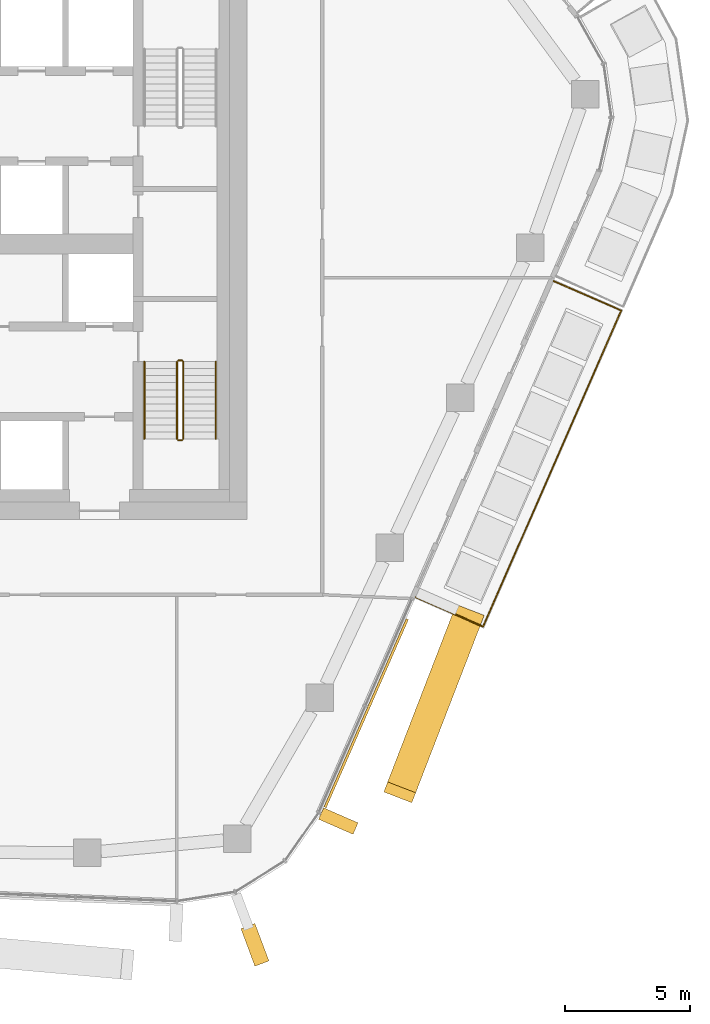
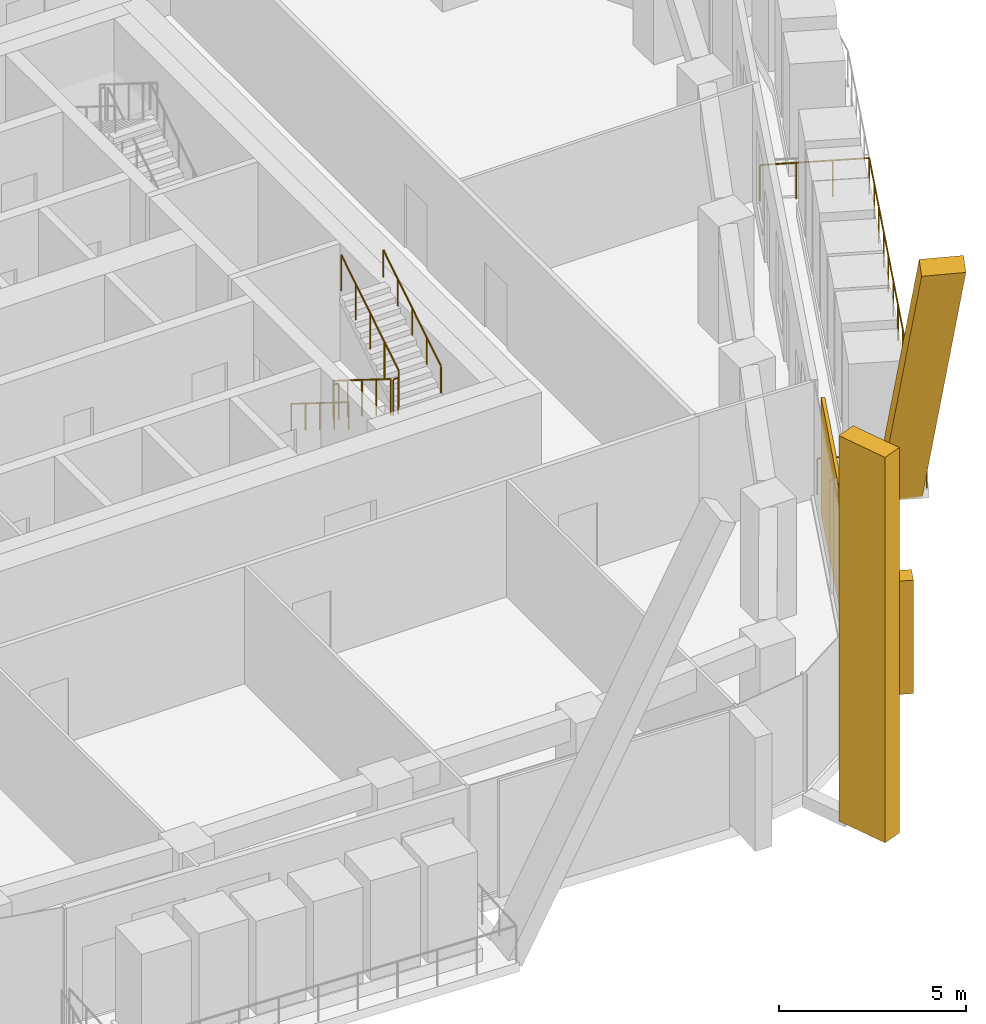
# One storey, part 17 of 20: 7 railings, 4 coverings, 2 elements without a shape of their own.
"""IFC4 building model written with IfcOpenShell, lengths in metres."""

from ifc_helpers import new_model, si_unit, direction, frame, origin, origin_2d, place, context, subcontext, project, spatial, rectangle, circle, extrude, material, layer, layer_set, material_profile, profile_set, type_object, element, aggregate, save


model = new_model("IFC4")

# Units and contexts
model_context = context("Model", 3, precision=1e-05, world=origin(), true_north=direction((0.0, 1.0)))
body_context = subcontext(model_context, "Body", "Model", "MODEL_VIEW")
ifc_project = project(units=[si_unit("LENGTHUNIT", "METRE"), si_unit("AREAUNIT", "SQUARE_METRE"), si_unit("VOLUMEUNIT", "CUBIC_METRE"), si_unit("PLANEANGLEUNIT", "RADIAN"), si_unit("MASSUNIT", "GRAM", prefix="KILO")], contexts=[model_context])

# Site, building, storey
site_placement = place(None, origin())
site = spatial("IfcSite", under=ifc_project, at=site_placement, CompositionType="ELEMENT")
building_placement = place(site_placement, origin())
building = spatial("IfcBuilding", under=site, at=building_placement, Name="Dongbaek Canopy Tower", CompositionType="ELEMENT")
storey_placement = place(building_placement, frame((0.0, 0.0, 241.199951171875)))
storey = spatial("IfcBuildingStorey", under=building, at=storey_placement, Name="L50", CompositionType="ELEMENT", Elevation=241.199951171875)

# Railing
ifc_material_1 = material(Name="Stainless steel", Category="steel")
railing_type_1 = type_object("IfcRailingType", Name="Balcony balustrade 1200", PredefinedType="BALUSTRADE", material=ifc_material_1)
railing_1_placement = place(storey_placement, frame((20.7236328125, -14.096923828125, 0.0)))
element("IfcRailing", 1, at=railing_1_placement, inside=storey, type_object=railing_type_1, Name="Balcony guard L50 5", PredefinedType="BALUSTRADE", context=body_context, shape_type="SweptSolid", body=[
    extrude(circle(Radius=0.02392578125, at=origin_2d()), frame((0.0, 0.0, 1.17578125), z_axis=(0.916378260197, -0.400313482458, 0.0), x_axis=(0.400313482458, 0.916378260197, 0.0)), (0.0, 0.0, 1.0), 2.940185546875),
    extrude(circle(Radius=0.02392578125, at=origin_2d()), frame((2.6943359375, -1.177001953125, 1.17578125), z_axis=(0.400292212899, 0.916387551363, 0.0), x_axis=(-0.916387551363, 0.400292212899, 0.0)), (0.0, 0.0, 1.0), 13.766845703125),
    extrude(circle(Radius=0.02392578125, at=origin_2d()), frame((8.205078125, 11.438720703125, 1.17578125), z_axis=(-0.91640871913, 0.40024375011, 0.0), x_axis=(-0.40024375011, -0.91640871913, 0.0)), (0.0, 0.0, 1.0), 2.940185546875),
    extrude(circle(Radius=0.02099609375, at=origin_2d()), origin(), (0.0, 0.0, 1.0), 1.15185546875),
    extrude(circle(Radius=0.02099609375, at=origin_2d()), frame((0.898193359375, -0.392333984375, 0.0)), (0.0, 0.0, 1.0), 1.15185546875),
    extrude(circle(Radius=0.02099609375, at=origin_2d()), frame((1.796142578125, -0.78466796875, 0.0)), (0.0, 0.0, 1.0), 1.15185546875),
    extrude(circle(Radius=0.02099609375, at=origin_2d()), frame((2.6943359375, -1.177001953125, 0.0)), (0.0, 0.0, 1.0), 1.15185546875),
    extrude(circle(Radius=0.02099609375, at=origin_2d()), frame((3.153564453125, -0.125732421875, 0.0)), (0.0, 0.0, 1.0), 1.15185546875),
    extrude(circle(Radius=0.02099609375, at=origin_2d()), frame((3.61279296875, 0.925537109375, 0.0)), (0.0, 0.0, 1.0), 1.15185546875),
    extrude(circle(Radius=0.02099609375, at=origin_2d()), frame((4.072021484375, 1.97705078125, 0.0)), (0.0, 0.0, 1.0), 1.15185546875),
    extrude(circle(Radius=0.02099609375, at=origin_2d()), frame((4.53125, 3.0283203125, 0.0)), (0.0, 0.0, 1.0), 1.15185546875),
    extrude(circle(Radius=0.02099609375, at=origin_2d()), frame((4.990478515625, 4.07958984375, 0.0)), (0.0, 0.0, 1.0), 1.15185546875),
    extrude(circle(Radius=0.02099609375, at=origin_2d()), frame((5.44970703125, 5.130859375, 0.0)), (0.0, 0.0, 1.0), 1.15185546875),
    extrude(circle(Radius=0.02099609375, at=origin_2d()), frame((5.908935546875, 6.18212890625, 0.0)), (0.0, 0.0, 1.0), 1.15185546875),
    extrude(circle(Radius=0.02099609375, at=origin_2d()), frame((6.3681640625, 7.2333984375, 0.0)), (0.0, 0.0, 1.0), 1.15185546875),
    extrude(circle(Radius=0.02099609375, at=origin_2d()), frame((6.827392578125, 8.28466796875, 0.0)), (0.0, 0.0, 1.0), 1.15185546875),
    extrude(circle(Radius=0.02099609375, at=origin_2d()), frame((7.28662109375, 9.336181640625, 0.0)), (0.0, 0.0, 1.0), 1.15185546875),
    extrude(circle(Radius=0.02099609375, at=origin_2d()), frame((7.745849609375, 10.387451171875, 0.0)), (0.0, 0.0, 1.0), 1.15185546875),
    extrude(circle(Radius=0.02099609375, at=origin_2d()), frame((8.205078125, 11.438720703125, 0.0)), (0.0, 0.0, 1.0), 1.15185546875),
    extrude(circle(Radius=0.02099609375, at=origin_2d()), frame((7.306884765625, 11.8310546875, 0.0)), (0.0, 0.0, 1.0), 1.15185546875),
    extrude(circle(Radius=0.02099609375, at=origin_2d()), frame((6.408935546875, 12.22314453125, 0.0)), (0.0, 0.0, 1.0), 1.15185546875),
    extrude(circle(Radius=0.02099609375, at=origin_2d()), frame((5.5107421875, 12.615478515625, 0.0)), (0.0, 0.0, 1.0), 1.15185546875),
])

# Curtain wall, covering
ifc_material_2 = material(Name="Aluminium 6063-T6 pale anodised", Category="aluminium")
ifc_layer_1 = layer(ifc_material_2, 0.199951171875)
ifc_layer_set_1 = layer_set([ifc_layer_1], Name="CW-1 unitised tower curtain wall")
curtain_wall_type = type_object("IfcCurtainWallType", Name="CW-1 unitised tower curtain wall", PredefinedType="NOTDEFINED", material=ifc_layer_set_1)
curtain_wall_1_placement = place(storey_placement, origin())
curtain_wall_1 = element("IfcCurtainWall", 2, at=curtain_wall_1_placement, inside=storey, type_object=curtain_wall_type, Name="CW-1 curtain wall K5.1", PredefinedType="NOTDEFINED")
ifc_material_3 = material(Name="Aluminium 6063-T6 pale metal fin", Category="aluminium")
ifc_material_profile_1 = material_profile(ifc_material_3, rectangle(XDim=1.60009765625, YDim=0.60009765625, at=origin_2d()), Name="Corner fin CN1 600 x 1600 pale metal")
ifc_profile_set_1 = profile_set([ifc_material_profile_1], Name="Aluminium 6063-T6 pale metal fin")
covering_type_1 = type_object("IfcCoveringType", Name="Corner fin CN1 600 x 1600 pale metal", PredefinedType="CLADDING", material=ifc_profile_set_1)
covering_1_placement = place(storey_placement, frame((14.309814453125, -27.97216796875, -0.18994140625), z_axis=(0.0, 0.0, 1.0), x_axis=(0.351016477142, -0.936369282268, 0.0)))
covering_1 = element("IfcCovering", 3, at=covering_1_placement, type_object=covering_type_1, Name="Corner fin L50 L52 K5", PredefinedType="CLADDING", context=body_context, shape_type="SweptSolid", body=[
    extrude(rectangle(XDim=1.60009765625, YDim=0.60009765625, at=origin_2d()), origin(), (0.0, 0.0, 1.0), 12.580078125),
])
aggregate(curtain_wall_1, [covering_1])

# Curtain wall, coverings
curtain_wall_2_placement = place(storey_placement, origin())
curtain_wall_2 = element("IfcCurtainWall", 4, at=curtain_wall_2_placement, inside=storey, type_object=curtain_wall_type, Name="CW-1 curtain wall F5.1", PredefinedType="NOTDEFINED")
ifc_material_4 = material(Name="Aluminium 6063-T6 pale metal fin", Category="aluminium")
ifc_material_profile_2 = material_profile(ifc_material_4, rectangle(XDim=1.199951171875, YDim=0.5, at=origin_2d()), Name="Crease fin CF1 500 x 1200 pale metal")
ifc_profile_set_2 = profile_set([ifc_material_profile_2], Name="Aluminium 6063-T6 pale metal fin")
covering_type_2 = type_object("IfcCoveringType", Name="Crease fin CF1 500 x 1200 pale metal", PredefinedType="CLADDING", material=ifc_profile_set_2)
covering_2_placement = place(storey_placement, frame((22.8251953125, -14.80712890625, -0.18994140625), z_axis=(-0.18595104715, -0.48137488143, 0.856563150966), x_axis=(0.932820739784, -0.360340765706, 0.0)))
covering_2 = element("IfcCovering", 5, at=covering_2_placement, type_object=covering_type_2, Name="Crease fin L50 L53 F5", PredefinedType="CLADDING", context=body_context, shape_type="SweptSolid", body=[
    extrude(rectangle(XDim=1.199951171875, YDim=0.5, at=origin_2d()), origin(), (0.0, 0.0, 1.0), 14.7099609375),
])
ifc_material_5 = material(Name="Perforated aluminium 6063-T6 pale metal screen", Category="aluminium")
ifc_layer_2 = layer(ifc_material_5, 0.10009765625)
ifc_layer_set_2 = layer_set([ifc_layer_2], Name="Facet screen FS1 100 pale metal")
covering_type_3 = type_object("IfcCoveringType", Name="Facet screen FS1 100 pale metal", PredefinedType="CLADDING", material=ifc_layer_set_2)
covering_3_placement = place(storey_placement, frame((18.749755859375, -18.730712890625, 0.0), z_axis=(0.0, 0.0, 1.0), x_axis=(0.400294653793, 0.916386485139, 0.0)))
covering_3 = element("IfcCovering", 6, at=covering_3_placement, type_object=covering_type_3, Name="Facet screen L50 F5", PredefinedType="CLADDING", context=body_context, shape_type="SweptSolid", body=[
    extrude(rectangle(XDim=8.19580078125, YDim=0.10009765625, at=origin_2d()), origin(), (0.0, 0.0, 1.0), 3.820068359375),
])
ifc_material_6 = material(Name="Aluminium 6063-T6 pale metal fin", Category="aluminium")
ifc_material_profile_3 = material_profile(ifc_material_6, rectangle(XDim=1.5, YDim=0.5, at=origin_2d()), Name="Fin FN1 500 x 1500 pale metal")
ifc_profile_set_3 = profile_set([ifc_material_profile_3], Name="Aluminium 6063-T6 pale metal fin")
covering_type_4 = type_object("IfcCoveringType", Name="Fin FN1 500 x 1500 pale metal", PredefinedType="CLADDING", material=ifc_profile_set_3)
covering_4_placement = place(storey_placement, frame((17.638427734375, -23.03369140625, 0.1201171875), z_axis=(0.0, 0.0, 1.0), x_axis=(0.9163861515, -0.400295417584, 0.0)))
covering_4 = element("IfcCovering", 7, at=covering_4_placement, type_object=covering_type_4, Name="Fin F5.1.1", PredefinedType="CLADDING", context=body_context, shape_type="SweptSolid", body=[
    extrude(rectangle(XDim=1.5, YDim=0.5, at=origin_2d()), origin(), (0.0, 0.0, 1.0), 3.699951171875),
])
aggregate(curtain_wall_2, [covering_4, covering_2, covering_3])

# Railings
ifc_material_7 = material(Name="Stainless steel tube and balusters", Category="steel")
railing_type_2 = type_object("IfcRailingType", Name="Stair guard 1200", PredefinedType="GUARDRAIL", material=ifc_material_7)
railing_2_placement = place(storey_placement, frame((11.199951171875, -4.699951171875, 0.175048828125)))
element("IfcRailing", 8, at=railing_2_placement, inside=storey, type_object=railing_type_2, Name="L50 ST-B stair guard 1", PredefinedType="GUARDRAIL", context=body_context, shape_type="SweptSolid", body=[
    extrude(circle(Radius=0.02392578125, at=origin_2d()), frame((0.0, 0.0, 1.17578125), z_axis=(0.0, -0.847998304005, 0.529998940003), x_axis=(1.0, 0.0, 0.0)), (0.0, 0.0, 1.0), 3.632080078125),
    extrude(circle(Radius=0.02099609375, at=origin_2d()), origin(), (0.0, 0.0, 1.0), 1.15185546875),
    extrude(circle(Radius=0.02099609375, at=origin_2d()), frame((0.0, -0.77001953125, 0.481201171875)), (0.0, 0.0, 1.0), 1.15185546875),
    extrude(circle(Radius=0.02099609375, at=origin_2d()), frame((0.0, -1.5400390625, 0.96240234375)), (0.0, 0.0, 1.0), 1.15185546875),
    extrude(circle(Radius=0.02099609375, at=origin_2d()), frame((0.0, -2.31005859375, 1.44384765625)), (0.0, 0.0, 1.0), 1.15185546875),
    extrude(circle(Radius=0.02099609375, at=origin_2d()), frame((0.0, -3.080078125, 1.925048828125)), (0.0, 0.0, 1.0), 1.15185546875),
])
railing_3_placement = place(storey_placement, frame((11.25, -7.830078125, 2.10009765625)))
element("IfcRailing", 9, at=railing_3_placement, inside=storey, type_object=railing_type_2, Name="L50 ST-B stair guard 2", PredefinedType="GUARDRAIL", context=body_context, shape_type="SweptSolid", body=[
    extrude(circle(Radius=0.02392578125, at=origin_2d()), frame((0.0, 0.0, 1.17578125), z_axis=(1.0, 0.0, 0.0), x_axis=(0.0, 1.0, 0.0)), (0.0, 0.0, 1.0), 0.14990234375),
    extrude(circle(Radius=0.02099609375, at=origin_2d()), origin(), (0.0, 0.0, 1.0), 1.15185546875),
    extrude(circle(Radius=0.02099609375, at=origin_2d()), frame((0.14990234375, 0.0, 0.0)), (0.0, 0.0, 1.0), 1.15185546875),
])
railing_4_placement = place(storey_placement, frame((11.449951171875, -7.780029296875, 2.275146484375)))
element("IfcRailing", 10, at=railing_4_placement, inside=storey, type_object=railing_type_2, Name="L50 ST-B stair guard 3", PredefinedType="GUARDRAIL", context=body_context, shape_type="SweptSolid", body=[
    extrude(circle(Radius=0.02392578125, at=origin_2d()), frame((0.0, 0.0, 1.17578125), z_axis=(0.0, 0.848028513186, 0.529950602248), x_axis=(-1.0, 0.0, 0.0)), (0.0, 0.0, 1.0), 3.632080078125),
    extrude(circle(Radius=0.02099609375, at=origin_2d()), origin(), (0.0, 0.0, 1.0), 1.15185546875),
    extrude(circle(Radius=0.02099609375, at=origin_2d()), frame((0.0, 0.77001953125, 0.481201171875)), (0.0, 0.0, 1.0), 1.15185546875),
    extrude(circle(Radius=0.02099609375, at=origin_2d()), frame((0.0, 1.5400390625, 0.96240234375)), (0.0, 0.0, 1.0), 1.15185546875),
    extrude(circle(Radius=0.02099609375, at=origin_2d()), frame((0.0, 2.31005859375, 1.443603515625)), (0.0, 0.0, 1.0), 1.15185546875),
    extrude(circle(Radius=0.02099609375, at=origin_2d()), frame((0.0, 3.080078125, 1.9248046875)), (0.0, 0.0, 1.0), 1.15185546875),
])
railing_5_placement = place(storey_placement, frame((11.25, -4.64990234375, 0.0)))
element("IfcRailing", 11, at=railing_5_placement, inside=storey, type_object=railing_type_2, Name="L50 ST-B stair guard 4", PredefinedType="GUARDRAIL", context=body_context, shape_type="SweptSolid", body=[
    extrude(circle(Radius=0.02392578125, at=origin_2d()), frame((0.0, 0.0, 1.17578125), z_axis=(1.0, 0.0, 0.0), x_axis=(0.0, 1.0, 0.0)), (0.0, 0.0, 1.0), 0.14990234375),
    extrude(circle(Radius=0.02099609375, at=origin_2d()), origin(), (0.0, 0.0, 1.0), 1.15185546875),
    extrude(circle(Radius=0.02099609375, at=origin_2d()), frame((0.14990234375, 0.0, 0.0)), (0.0, 0.0, 1.0), 1.15185546875),
])
ifc_material_8 = material(Name="Stainless steel tube", Category="steel")
railing_type_3 = type_object("IfcRailingType", Name="Stair handrail 900", PredefinedType="HANDRAIL", material=ifc_material_8)
railing_6_placement = place(storey_placement, frame((9.89990234375, -4.699951171875, 0.175048828125)))
element("IfcRailing", 12, at=railing_6_placement, inside=storey, type_object=railing_type_3, Name="L50 ST-B stair handrail 1", PredefinedType="HANDRAIL", context=body_context, shape_type="SweptSolid", body=[
    extrude(circle(Radius=0.02392578125, at=origin_2d()), frame((0.0, 0.0, 0.8759765625), z_axis=(0.0, -0.847998304005, 0.529998940003), x_axis=(1.0, 0.0, 0.0)), (0.0, 0.0, 1.0), 3.632080078125),
    extrude(circle(Radius=0.02099609375, at=origin_2d()), origin(), (0.0, 0.0, 1.0), 0.851806640625),
    extrude(circle(Radius=0.02099609375, at=origin_2d()), frame((0.0, -0.77001953125, 0.481201171875)), (0.0, 0.0, 1.0), 0.851806640625),
    extrude(circle(Radius=0.02099609375, at=origin_2d()), frame((0.0, -1.5400390625, 0.96240234375)), (0.0, 0.0, 1.0), 0.851806640625),
    extrude(circle(Radius=0.02099609375, at=origin_2d()), frame((0.0, -2.31005859375, 1.44384765625)), (0.0, 0.0, 1.0), 0.851806640625),
    extrude(circle(Radius=0.02099609375, at=origin_2d()), frame((0.0, -3.080078125, 1.925048828125)), (0.0, 0.0, 1.0), 0.851806640625),
])
railing_7_placement = place(storey_placement, frame((12.75, -7.780029296875, 2.275146484375)))
element("IfcRailing", 13, at=railing_7_placement, inside=storey, type_object=railing_type_3, Name="L50 ST-B stair handrail 2", PredefinedType="HANDRAIL", context=body_context, shape_type="SweptSolid", body=[
    extrude(circle(Radius=0.02392578125, at=origin_2d()), frame((0.0, 0.0, 0.8759765625), z_axis=(0.0, 0.848028513186, 0.529950602248), x_axis=(-1.0, 0.0, 0.0)), (0.0, 0.0, 1.0), 3.632080078125),
    extrude(circle(Radius=0.02099609375, at=origin_2d()), origin(), (0.0, 0.0, 1.0), 0.851806640625),
    extrude(circle(Radius=0.02099609375, at=origin_2d()), frame((0.0, 0.77001953125, 0.481201171875)), (0.0, 0.0, 1.0), 0.851806640625),
    extrude(circle(Radius=0.02099609375, at=origin_2d()), frame((0.0, 1.5400390625, 0.96240234375)), (0.0, 0.0, 1.0), 0.851806640625),
    extrude(circle(Radius=0.02099609375, at=origin_2d()), frame((0.0, 2.31005859375, 1.443603515625)), (0.0, 0.0, 1.0), 0.851806640625),
    extrude(circle(Radius=0.02099609375, at=origin_2d()), frame((0.0, 3.080078125, 1.9248046875)), (0.0, 0.0, 1.0), 0.851806640625),
])

save(model, "model.ifc")
